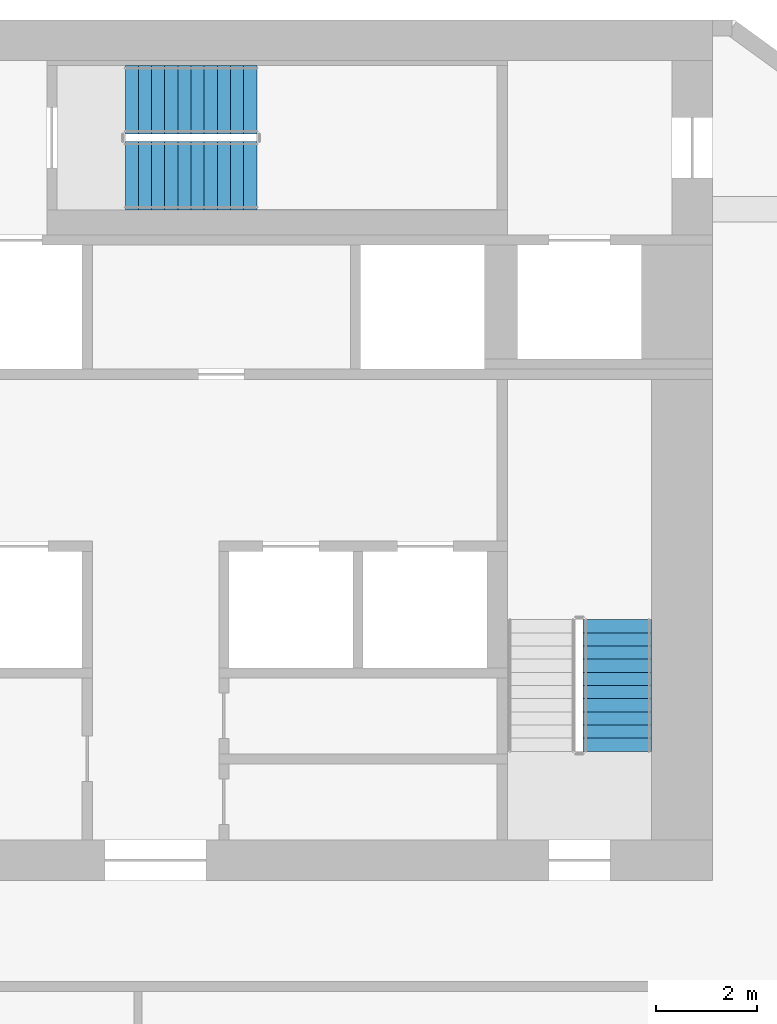
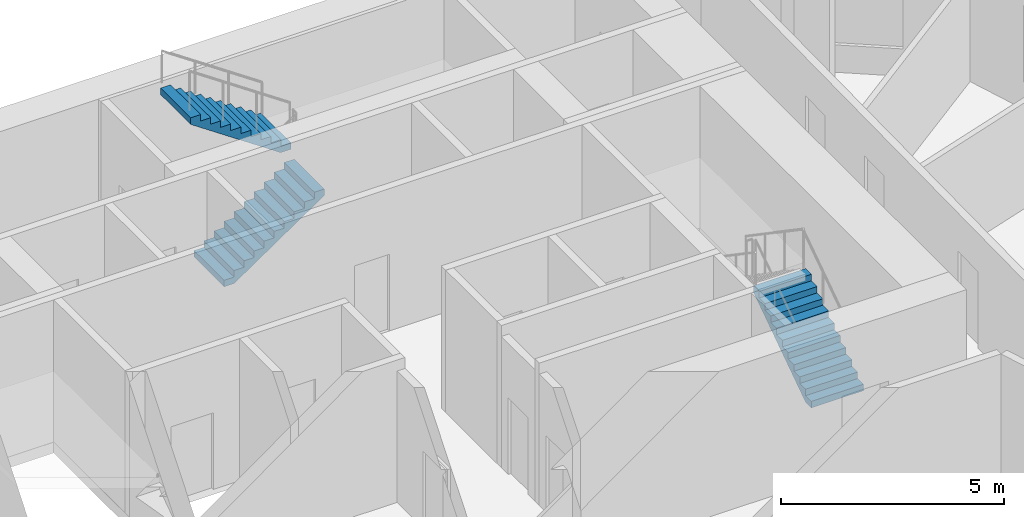
# One storey, part 7 of 9: 3 stair flights, 2 elements without a shape of their own.
"""IFC4 building model written with IfcOpenShell, lengths in metres."""

from ifc_helpers import new_model, si_unit, direction, frame, origin, place, context, subcontext, project, spatial, polyline, outline, extrude, material, layer, layer_set, type_object, element, aggregate, save


model = new_model("IFC4")

# Units and contexts
model_context = context("Model", 3, precision=1e-05, world=origin(), true_north=direction((0.0, 1.0)))
body_context = subcontext(model_context, "Body", "Model", "MODEL_VIEW")
ifc_project = project(units=[si_unit("LENGTHUNIT", "METRE"), si_unit("AREAUNIT", "SQUARE_METRE"), si_unit("VOLUMEUNIT", "CUBIC_METRE"), si_unit("PLANEANGLEUNIT", "RADIAN"), si_unit("MASSUNIT", "GRAM", prefix="KILO")], contexts=[model_context])

# Site, building, storey
site_placement = place(None, origin())
site = spatial("IfcSite", under=ifc_project, at=site_placement, CompositionType="ELEMENT")
building_placement = place(site_placement, origin())
building = spatial("IfcBuilding", under=site, at=building_placement, Name="White Candle Pilgrim Tower", CompositionType="ELEMENT")
storey_placement = place(building_placement, frame((0.0, 0.0, 223.800048828125)))
storey = spatial("IfcBuildingStorey", under=building, at=storey_placement, Name="L52", CompositionType="ELEMENT", Elevation=223.800048828125)

# Stair, stair flight
ifc_material = material(Name="Concrete C40/50", Category="concrete")
stair_type_1 = type_object("IfcStairType", Name="Exit stair 2 flight width 1350 mm", PredefinedType="HALF_TURN_STAIR", material=ifc_material)
stair_1_placement = place(storey_placement, origin())
stair_1 = element("IfcStair", 1, at=stair_1_placement, inside=storey, type_object=stair_type_1, Name="L52 stair 2", PredefinedType="NOTDEFINED")
ifc_layer = layer(ifc_material, 0.14990234375)
ifc_layer_set = layer_set([ifc_layer], Name="Stair flight Concrete C40/50")
stair_flight_type = type_object("IfcStairFlightType", Name="Stair flight Concrete C40/50", PredefinedType="STRAIGHT", material=ifc_layer_set)
stair_flight_1_placement = place(storey_placement, frame((79.125, 73.550048828125, 0.0), z_axis=(0.0, 0.0, 1.0), x_axis=(0.0, 1.0, 0.0)))
stair_flight_1 = element("IfcStairFlight", 2, at=stair_flight_1_placement, type_object=stair_flight_type, Name="ST2 flight 1", NumberOfRisers=11, NumberOfTreads=10, PredefinedType="NOTDEFINED", RiserHeight=0.177272727, TreadLength=0.26, context=body_context, shape_type="SweptSolid", body=[
    extrude(outline(polyline([(0.0, 0.0), (0.0, 0.17724609375), (0.260009765625, 0.17724609375), (0.260009765625, 0.3544921875), (0.52001953125, 0.3544921875), (0.52001953125, 0.53173828125), (0.780029296875, 0.53173828125), (0.780029296875, 0.708984375), (1.0400390625, 0.708984375), (1.0400390625, 0.886474609375), (1.300048828125, 0.886474609375), (1.300048828125, 1.063720703125), (1.56005859375, 1.063720703125), (1.56005859375, 1.240966796875), (1.820068359375, 1.240966796875), (1.820068359375, 1.418212890625), (2.080078125, 1.418212890625), (2.080078125, 1.595458984375), (2.340087890625, 1.595458984375), (2.340087890625, 1.772705078125), (2.60009765625, 1.772705078125), (2.60009765625, 1.949951171875), (2.60009765625, 1.59130859375), (0.26611328125, 0.0), (0.0, 0.0)])), frame((0.0, 0.675048828125, 0.0), z_axis=(0.0, -1.0, 0.0), x_axis=(1.0, 0.0, 0.0)), (0.0, 0.0, 1.0), 1.35009765625),
])
aggregate(stair_1, [stair_flight_1])

# Stair, stair flights
stair_type_2 = type_object("IfcStairType", Name="Exit stair 3 flight width 1350 mm", PredefinedType="HALF_TURN_STAIR", material=ifc_material)
stair_2_placement = place(storey_placement, origin())
stair_2 = element("IfcStair", 3, at=stair_2_placement, inside=storey, type_object=stair_type_2, Name="L52 stair 3", PredefinedType="NOTDEFINED")
stair_flight_2_placement = place(storey_placement, frame((69.39990234375, 84.925048828125, 0.0), z_axis=(0.0, 0.0, 1.0), x_axis=(1.0, 0.0, 0.0)))
stair_flight_2 = element("IfcStairFlight", 4, at=stair_flight_2_placement, type_object=stair_flight_type, Name="ST3 flight 1", NumberOfRisers=11, NumberOfTreads=10, PredefinedType="NOTDEFINED", RiserHeight=0.177272727, TreadLength=0.26, context=body_context, shape_type="SweptSolid", body=[
    extrude(outline(polyline([(0.0, 0.0), (0.0, 0.17724609375), (0.260009765625, 0.17724609375), (0.260009765625, 0.3544921875), (0.52001953125, 0.3544921875), (0.52001953125, 0.53173828125), (0.780029296875, 0.53173828125), (0.780029296875, 0.708984375), (1.0400390625, 0.708984375), (1.0400390625, 0.886474609375), (1.300048828125, 0.886474609375), (1.300048828125, 1.063720703125), (1.56005859375, 1.063720703125), (1.56005859375, 1.240966796875), (1.820068359375, 1.240966796875), (1.820068359375, 1.418212890625), (2.080078125, 1.418212890625), (2.080078125, 1.595458984375), (2.340087890625, 1.595458984375), (2.340087890625, 1.772705078125), (2.60009765625, 1.772705078125), (2.60009765625, 1.949951171875), (2.60009765625, 1.59130859375), (0.26611328125, 0.0), (0.0, 0.0)])), frame((0.0, 0.675048828125, 0.0), z_axis=(0.0, -1.0, 0.0), x_axis=(1.0, 0.0, 0.0)), (0.0, 0.0, 1.0), 1.35009765625),
])
stair_flight_3_placement = place(storey_placement, frame((72.0, 86.425048828125, 1.949951171875), z_axis=(0.0, 0.0, 1.0), x_axis=(-1.0, 0.0, 0.0)))
stair_flight_3 = element("IfcStairFlight", 5, at=stair_flight_3_placement, type_object=stair_flight_type, Name="ST3 flight 2", NumberOfRisers=11, NumberOfTreads=10, PredefinedType="NOTDEFINED", RiserHeight=0.177272727, TreadLength=0.26, context=body_context, shape_type="SweptSolid", body=[
    extrude(outline(polyline([(0.0, 0.0), (0.0, 0.17724609375), (0.260009765625, 0.17724609375), (0.260009765625, 0.3544921875), (0.52001953125, 0.3544921875), (0.52001953125, 0.53173828125), (0.780029296875, 0.53173828125), (0.780029296875, 0.708984375), (1.0400390625, 0.708984375), (1.0400390625, 0.886474609375), (1.300048828125, 0.886474609375), (1.300048828125, 1.063720703125), (1.56005859375, 1.063720703125), (1.56005859375, 1.240966796875), (1.820068359375, 1.240966796875), (1.820068359375, 1.418212890625), (2.080078125, 1.418212890625), (2.080078125, 1.595458984375), (2.340087890625, 1.595458984375), (2.340087890625, 1.772705078125), (2.60009765625, 1.772705078125), (2.60009765625, 1.949951171875), (2.60009765625, 1.59130859375), (0.26611328125, 0.0), (0.0, 0.0)])), frame((0.0, 0.675048828125, 0.0), z_axis=(0.0, -1.0, 0.0), x_axis=(1.0, 0.0, 0.0)), (0.0, 0.0, 1.0), 1.35009765625),
])
aggregate(stair_2, [stair_flight_2, stair_flight_3])

save(model, "model.ifc")
